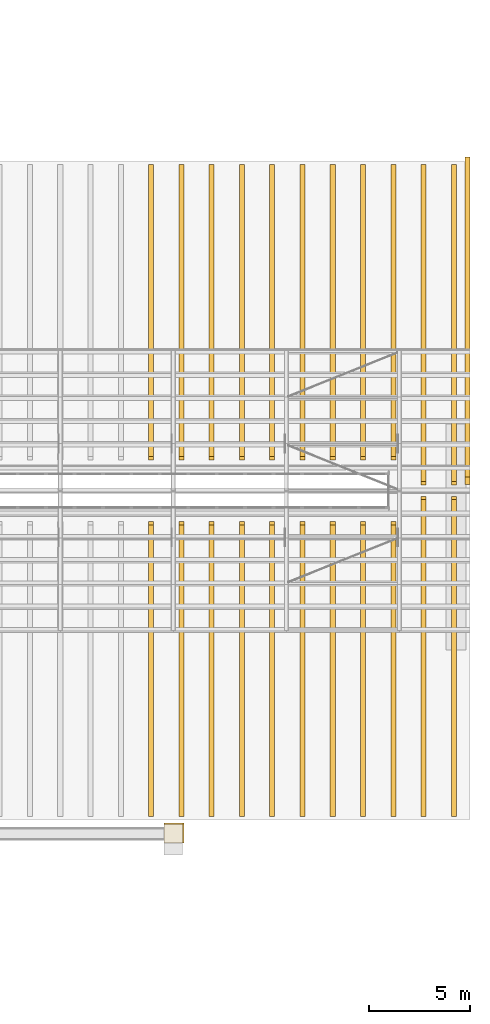
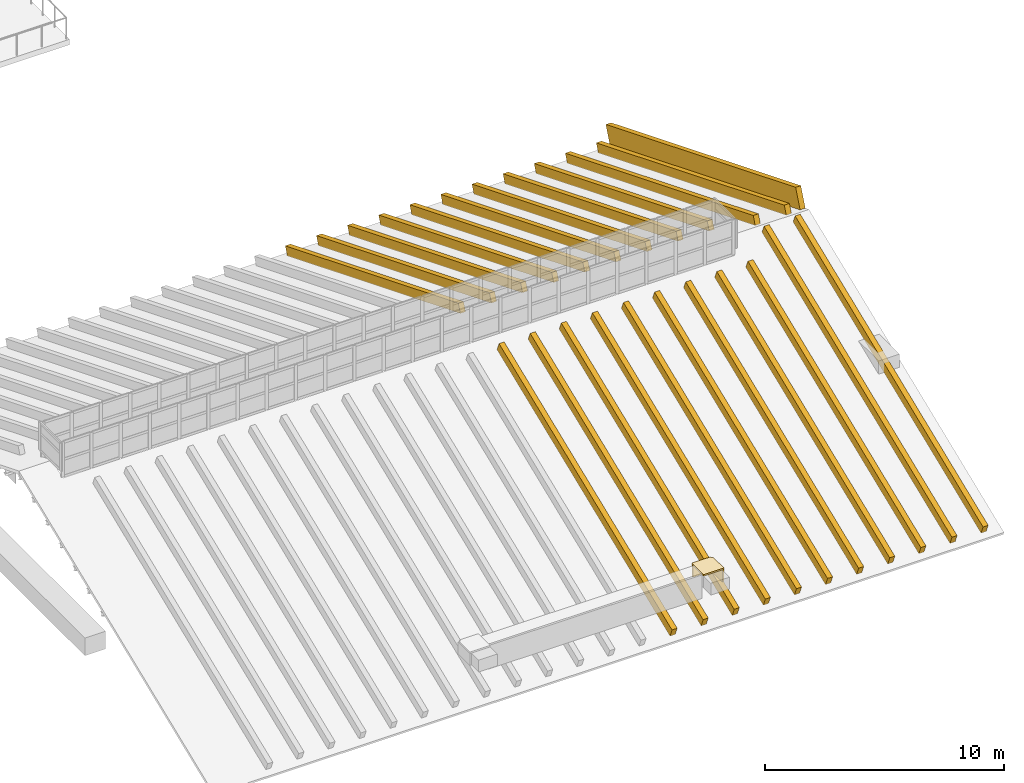
# One storey, part 100 of 105: 25 coverings.
"""IFC4 building model written with IfcOpenShell, lengths in metres."""

from ifc_helpers import new_model, si_unit, direction, frame, origin, origin_2d, place, context, subcontext, project, spatial, polyline, rectangle, outline, extrude, material, layer, layer_set, material_profile, profile_set, type_object, element, save


model = new_model("IFC4")

# Units and contexts
model_context = context("Model", 3, precision=1e-05, world=origin(), true_north=direction((0.0, 1.0)))
body_context = subcontext(model_context, "Body", "Model", "MODEL_VIEW")
ifc_project = project(units=[si_unit("LENGTHUNIT", "METRE"), si_unit("AREAUNIT", "SQUARE_METRE"), si_unit("VOLUMEUNIT", "CUBIC_METRE"), si_unit("PLANEANGLEUNIT", "RADIAN"), si_unit("MASSUNIT", "GRAM", prefix="KILO")], contexts=[model_context])

# Site, building, storey
site_placement = place(None, origin())
site = spatial("IfcSite", under=ifc_project, at=site_placement, CompositionType="ELEMENT")
building_placement = place(site_placement, origin())
building = spatial("IfcBuilding", under=site, at=building_placement, Name="Wasatch Bagh Community Centre", CompositionType="ELEMENT")
storey_placement = place(building_placement, frame((0.0, 0.0, 16.800048828125)))
storey = spatial("IfcBuildingStorey", under=building, at=storey_placement, Name="L04", CompositionType="ELEMENT", Elevation=16.800048828125)

# Coverings
ifc_material_1 = material(Name="Cast stone cladding", Category="masonry")
ifc_layer = layer(ifc_material_1, 0.080078125)
ifc_layer_set = layer_set([ifc_layer], Name="Cast stone cladding")
covering_type_1 = type_object("IfcCoveringType", Name="CL-C1 column facing", PredefinedType="CLADDING", material=ifc_layer_set)
covering_1_placement = place(storey_placement, origin())
element("IfcCovering", 1, at=covering_1_placement, inside=storey, type_object=covering_type_1, Name="Column facing", PredefinedType="CLADDING", context=body_context, shape_type="SweptSolid", body=[
    extrude(outline(polyline([(135.050048828125, 35.449951171875), (134.14990234375, 35.449951171875), (134.14990234375, 35.530029296875), (135.1298828125, 35.530029296875), (135.1298828125, 35.449951171875), (135.1298828125, 34.550048828125), (135.050048828125, 34.550048828125), (135.050048828125, 35.449951171875)])), origin(), (0.0, 0.0, 1.0), 0.599853515625),
])
covering_2_placement = place(storey_placement, frame((0.0, 0.0, 0.599853515625)))
element("IfcCovering", 2, at=covering_2_placement, inside=storey, type_object=covering_type_1, Name="Column facing", PredefinedType="CLADDING", context=body_context, shape_type="SweptSolid", body=[
    extrude(outline(polyline([(134.14990234375, 34.550048828125), (134.14990234375, 35.530029296875), (135.050048828125, 35.530029296875), (135.050048828125, 35.449951171875), (135.1298828125, 35.449951171875), (135.1298828125, 34.550048828125), (134.14990234375, 34.550048828125)])), origin(), (0.0, 0.0, 1.0), 0.080078125),
])
ifc_material_2 = material(Name="Glass-fibre reinforced concrete", Category="concrete")
ifc_material_profile = material_profile(ifc_material_2, rectangle(XDim=0.25, YDim=1.0, at=origin_2d()), Name="PARAPET 250x1000")
ifc_profile_set = profile_set([ifc_material_profile], Name="Glass-fibre reinforced concrete")
covering_type_2 = type_object("IfcCoveringType", Name="SH gable parapet 250x1000", PredefinedType="CLADDING", material=ifc_profile_set)
covering_3_placement = place(storey_placement, frame((149.175048828125, 52.4873046875, 3.7587890625), z_axis=(0.0, 0.927184800181, -0.37460425293), x_axis=(-1.0, 0.0, 0.0)))
element("IfcCovering", 3, at=covering_3_placement, inside=storey, type_object=covering_type_2, Name="Gable parapet E 4", PredefinedType="CLADDING", context=body_context, shape_type="SweptSolid", body=[
    extrude(rectangle(XDim=0.25, YDim=1.0, at=origin_2d()), origin(), (0.0, 0.0, 1.0), 17.094970703125),
])
ifc_material_3 = material(Name="ASTM A653 Grade 50 steel, zinc-aluminium coated", Category="steel")
covering_type_3 = type_object("IfcCoveringType", Name="SH roof rib 250x450", PredefinedType="ROOFING", material=ifc_material_3)
for number, where, z_axis, x_axis, name in (
    (4, (133.375, 35.85009765625, -2.65869140625), (0.0, -0.374618710554, 0.927178958833), (0.0, 0.927178958833, 0.374618710554), "Roof rib S89"),
    (5, (134.875, 35.85009765625, -2.65869140625), (0.0, -0.374618710554, 0.927178958833), (0.0, 0.927178958833, 0.374618710554), "Roof rib S90"),
    (6, (136.375, 35.85009765625, -2.65869140625), (0.0, -0.374618710554, 0.927178958833), (0.0, 0.927178958833, 0.374618710554), "Roof rib S91"),
    (7, (137.875, 35.85009765625, -2.65869140625), (0.0, -0.374618710554, 0.927178958833), (0.0, 0.927178958833, 0.374618710554), "Roof rib S92"),
    (8, (139.375, 35.85009765625, -2.65869140625), (0.0, -0.374618710554, 0.927178958833), (0.0, 0.927178958833, 0.374618710554), "Roof rib S93"),
    (9, (140.875, 35.85009765625, -2.65869140625), (0.0, -0.374618710554, 0.927178958833), (0.0, 0.927178958833, 0.374618710554), "Roof rib S94"),
    (10, (142.375, 35.85009765625, -2.65869140625), (0.0, -0.374618710554, 0.927178958833), (0.0, 0.927178958833, 0.374618710554), "Roof rib S95"),
    (11, (143.875, 35.85009765625, -2.65869140625), (0.0, -0.374618710554, 0.927178958833), (0.0, 0.927178958833, 0.374618710554), "Roof rib S96"),
    (12, (145.375, 35.85009765625, -2.65869140625), (0.0, -0.374618710554, 0.927178958833), (0.0, 0.927178958833, 0.374618710554), "Roof rib S97"),
):
    element("IfcCovering", number, at=place(storey_placement, frame(where, z_axis=z_axis, x_axis=x_axis)), inside=storey, type_object=covering_type_3, Name=name, PredefinedType="ROOFING", context=body_context, shape_type="SweptSolid", body=[
        extrude(outline(polyline([(0.0, 0.0), (15.584856660313456, 0.0), (15.584856660313456, -0.25), (0.0, -0.25), (0.0, 0.0)])), origin(), (0.0, 0.0, -1.0), 0.449951171875),
    ])
for number, where, z_axis, x_axis, name in (
    (13, (147.125, 51.550048828125, 3.6845703125), (0.0, -0.374610132062, 0.927182424853), (0.0, -0.927182424853, -0.374610132062), "Roof rib S98"),
    (14, (148.625, 51.550048828125, 3.6845703125), (0.0, -0.374610132062, 0.927182424853), (0.0, -0.927182424853, -0.374610132062), "Roof rib S99"),
):
    element("IfcCovering", number, at=place(storey_placement, frame(where, z_axis=z_axis, x_axis=x_axis)), inside=storey, type_object=covering_type_3, Name=name, PredefinedType="ROOFING", context=body_context, shape_type="SweptSolid", body=[
        extrude(outline(polyline([(0.0, 0.0), (16.93296890777924, 0.0), (16.93296890777924, -0.25), (0.0, -0.25), (0.0, 0.0)])), origin(), (0.0, 0.0, -1.0), 0.449951171875),
    ])
for number, where, z_axis, x_axis, name in (
    (15, (133.375, 53.699951171875, 3.1796875), (0.0, 0.374618710554, 0.927178958833), (0.0, 0.927178958833, -0.374618710554), "Roof rib N89"),
    (16, (134.875, 53.699951171875, 3.1796875), (0.0, 0.374618710554, 0.927178958833), (0.0, 0.927178958833, -0.374618710554), "Roof rib N90"),
    (17, (136.375, 53.699951171875, 3.1796875), (0.0, 0.374618710554, 0.927178958833), (0.0, 0.927178958833, -0.374618710554), "Roof rib N91"),
    (18, (137.875, 53.699951171875, 3.1796875), (0.0, 0.374618710554, 0.927178958833), (0.0, 0.927178958833, -0.374618710554), "Roof rib N92"),
    (19, (139.375, 53.699951171875, 3.1796875), (0.0, 0.374618710554, 0.927178958833), (0.0, 0.927178958833, -0.374618710554), "Roof rib N93"),
    (20, (140.875, 53.699951171875, 3.1796875), (0.0, 0.374618710554, 0.927178958833), (0.0, 0.927178958833, -0.374618710554), "Roof rib N94"),
    (21, (142.375, 53.699951171875, 3.1796875), (0.0, 0.374618710554, 0.927178958833), (0.0, 0.927178958833, -0.374618710554), "Roof rib N95"),
    (22, (143.875, 53.699951171875, 3.1796875), (0.0, 0.374618710554, 0.927178958833), (0.0, 0.927178958833, -0.374618710554), "Roof rib N96"),
    (23, (145.375, 53.699951171875, 3.1796875), (0.0, 0.374618710554, 0.927178958833), (0.0, 0.927178958833, -0.374618710554), "Roof rib N97"),
):
    element("IfcCovering", number, at=place(storey_placement, frame(where, z_axis=z_axis, x_axis=x_axis)), inside=storey, type_object=covering_type_3, Name=name, PredefinedType="ROOFING", context=body_context, shape_type="SweptSolid", body=[
        extrude(outline(polyline([(0.0, 0.0), (15.584856660313456, 0.0), (15.584856660313456, -0.25), (0.0, -0.25), (0.0, 0.0)])), origin(), (0.0, 0.0, -1.0), 0.449951171875),
    ])
for number, where, z_axis, x_axis, name in (
    (24, (147.125, 68.14990234375, -2.65869140625), (0.0, 0.374610132062, 0.927182424853), (0.0, -0.927182424853, 0.374610132062), "Roof rib N98"),
    (25, (148.625, 68.14990234375, -2.65869140625), (0.0, 0.374610132062, 0.927182424853), (0.0, -0.927182424853, 0.374610132062), "Roof rib N99"),
):
    element("IfcCovering", number, at=place(storey_placement, frame(where, z_axis=z_axis, x_axis=x_axis)), inside=storey, type_object=covering_type_3, Name=name, PredefinedType="ROOFING", context=body_context, shape_type="SweptSolid", body=[
        extrude(outline(polyline([(0.0, 0.0), (16.93296890777924, 0.0), (16.93296890777924, -0.25), (0.0, -0.25), (0.0, 0.0)])), origin(), (0.0, 0.0, -1.0), 0.449951171875),
    ])

save(model, "model.ifc")
